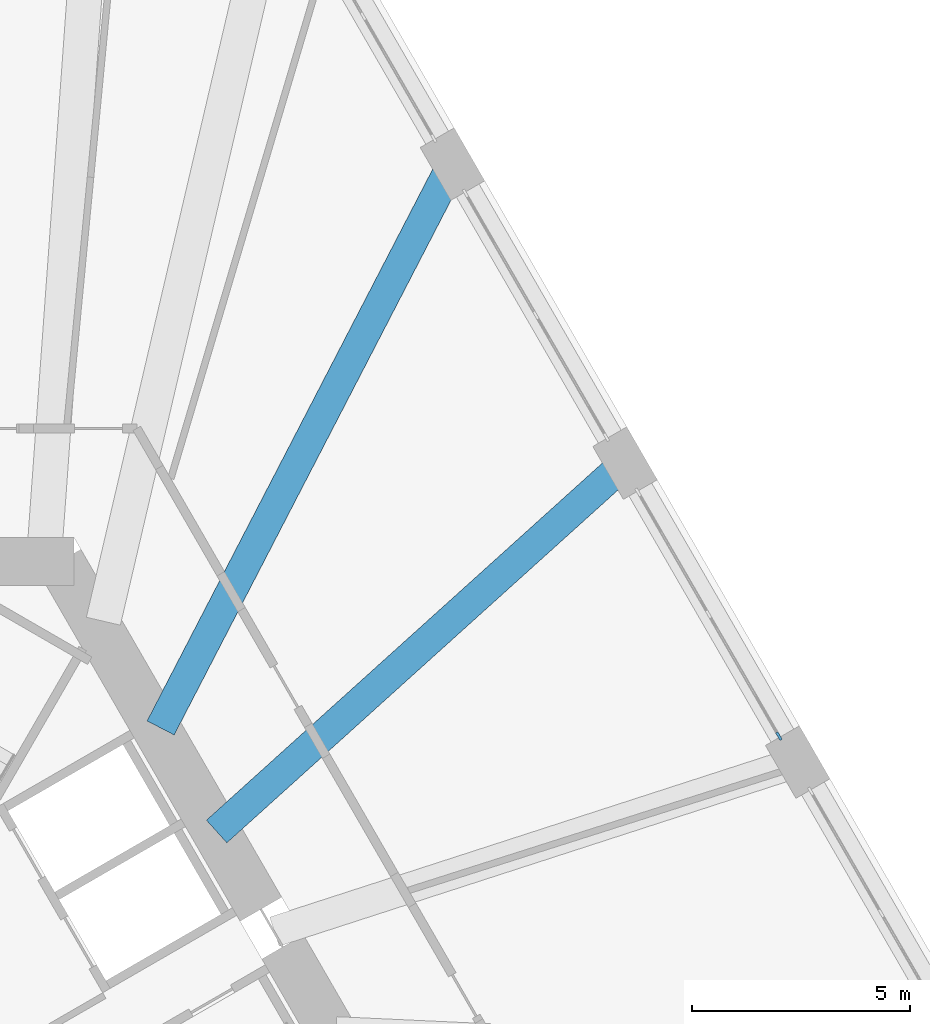
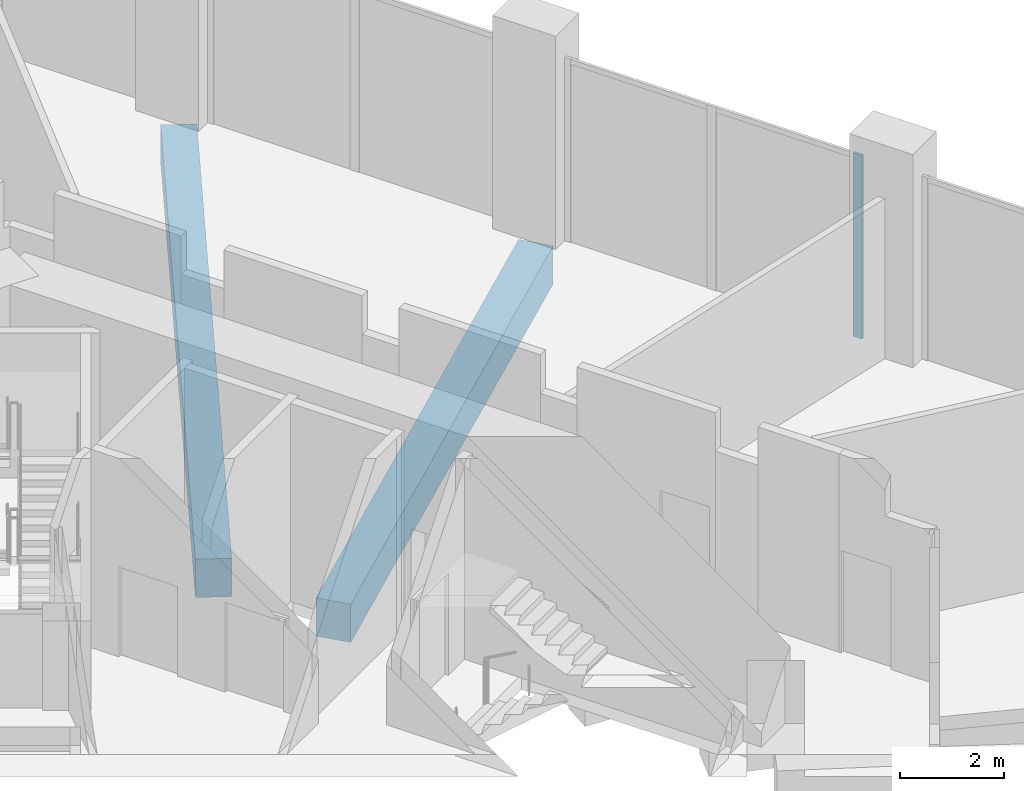
# One storey, part 8 of 20: 2 beams, 1 member, 1 element without a shape of its own.
"""IFC4 building model written with IfcOpenShell, lengths in metres."""

from ifc_helpers import new_model, si_unit, direction, frame, origin, origin_2d, place, context, subcontext, project, spatial, rectangle, extrude, material, layer, layer_set, material_profile, profile_set, type_object, element, aggregate, save


model = new_model("IFC4")

# Units and contexts
model_context = context("Model", 3, precision=1e-05, world=origin(), true_north=direction((0.0, 1.0)))
body_context = subcontext(model_context, "Body", "Model", "MODEL_VIEW")
ifc_project = project(units=[si_unit("LENGTHUNIT", "METRE"), si_unit("AREAUNIT", "SQUARE_METRE"), si_unit("VOLUMEUNIT", "CUBIC_METRE"), si_unit("PLANEANGLEUNIT", "RADIAN"), si_unit("MASSUNIT", "GRAM", prefix="KILO")], contexts=[model_context])

# Site, building, storey
site_placement = place(None, origin())
site = spatial("IfcSite", under=ifc_project, at=site_placement, CompositionType="ELEMENT")
building_placement = place(site_placement, origin())
building = spatial("IfcBuilding", under=site, at=building_placement, Name="Tramontana Tower", CompositionType="ELEMENT")
storey_placement = place(building_placement, frame((0.0, 0.0, 20.0)))
storey = spatial("IfcBuildingStorey", under=building, at=storey_placement, Name="L03", CompositionType="ELEMENT", Elevation=20.0)

# Curtain wall, member
ifc_material_1 = material(Name="Aluminum extrusion", Category="aluminium")
ifc_layer = layer(ifc_material_1, 0.14990234375)
ifc_layer_set = layer_set([ifc_layer], Name="CW2 Podium amenity curtain wall")
curtain_wall_type = type_object("IfcCurtainWallType", Name="CW2 Podium amenity curtain wall", PredefinedType="NOTDEFINED", material=ifc_layer_set)
curtain_wall_placement = place(storey_placement, origin())
curtain_wall = element("IfcCurtainWall", 1, at=curtain_wall_placement, inside=storey, type_object=curtain_wall_type, Name="CW2 curtain wall L03 face 2 bay 4", PredefinedType="NOTDEFINED")
ifc_material_2 = material(Name="Aluminum extrusion", Category="aluminium")
ifc_material_profile_1 = material_profile(ifc_material_2, rectangle(XDim=0.06005859375, YDim=0.199951171875, at=origin_2d()), Name="CW2-M Mullion 60 x 200")
ifc_profile_set_1 = profile_set([ifc_material_profile_1], Name="Aluminum extrusion")
member_type = type_object("IfcMemberType", Name="CW2-M Mullion 60 x 200", PredefinedType="MULLION", material=ifc_profile_set_1)
member_placement = place(storey_placement, frame((17.6142578125, 6.441162109375, 0.0), z_axis=(0.0, 0.0, 1.0), x_axis=(-0.866025403784, -0.5, 0.0)))
member = element("IfcMember", 2, at=member_placement, type_object=member_type, Name="CW2 curtain wall L03 face 2 bay 4 mullion 1", PredefinedType="MULLION", context=body_context, shape_type="SweptSolid", body=[
    extrude(rectangle(XDim=0.06005859375, YDim=0.199951171875, at=origin_2d()), origin(), (0.0, 0.0, 1.0), 4.300048828125),
])
aggregate(curtain_wall, [member])

# Beams
ifc_material_3 = material(Name="Concrete 40 MPa", Category="concrete")
ifc_material_profile_2 = material_profile(ifc_material_3, rectangle(XDim=0.699951171875, YDim=0.89990234375, at=origin_2d()), Name="RC GIRDER 700X900 40 MPa")
ifc_profile_set_2 = profile_set([ifc_material_profile_2], Name="Concrete 40 MPa")
beam_type = type_object("IfcBeamType", Name="RC GIRDER 700X900 40 MPa", PredefinedType="BEAM", material=ifc_profile_set_2)
beam_1_placement = place(storey_placement, frame((14.085205078125, 12.70361328125, -0.800048828125), z_axis=(-0.742588406407, -0.669748056116, 0.0), x_axis=(0.669748056116, -0.742588406407, 0.0)))
element("IfcBeam", 3, at=beam_1_placement, inside=storey, type_object=beam_type, Name="Radial girder C0F16 L03", PredefinedType="BEAM", context=body_context, shape_type="SweptSolid", body=[
    extrude(rectangle(XDim=0.699951171875, YDim=0.89990234375, at=origin_2d()), origin(), (0.0, 0.0, 1.0), 12.615966796875),
])
beam_2_placement = place(storey_placement, frame((10.126220703125, 19.560791015625, -0.800048828125), z_axis=(-0.459730770714, -0.88805834181, 0.0), x_axis=(0.88805834181, -0.459730770714, 0.0)))
element("IfcBeam", 4, at=beam_2_placement, inside=storey, type_object=beam_type, Name="Radial girder C0F17 L03", PredefinedType="BEAM", context=body_context, shape_type="SweptSolid", body=[
    extrude(rectangle(XDim=0.699951171875, YDim=0.89990234375, at=origin_2d()), origin(), (0.0, 0.0, 1.0), 14.5615234375),
])

save(model, "model.ifc")
